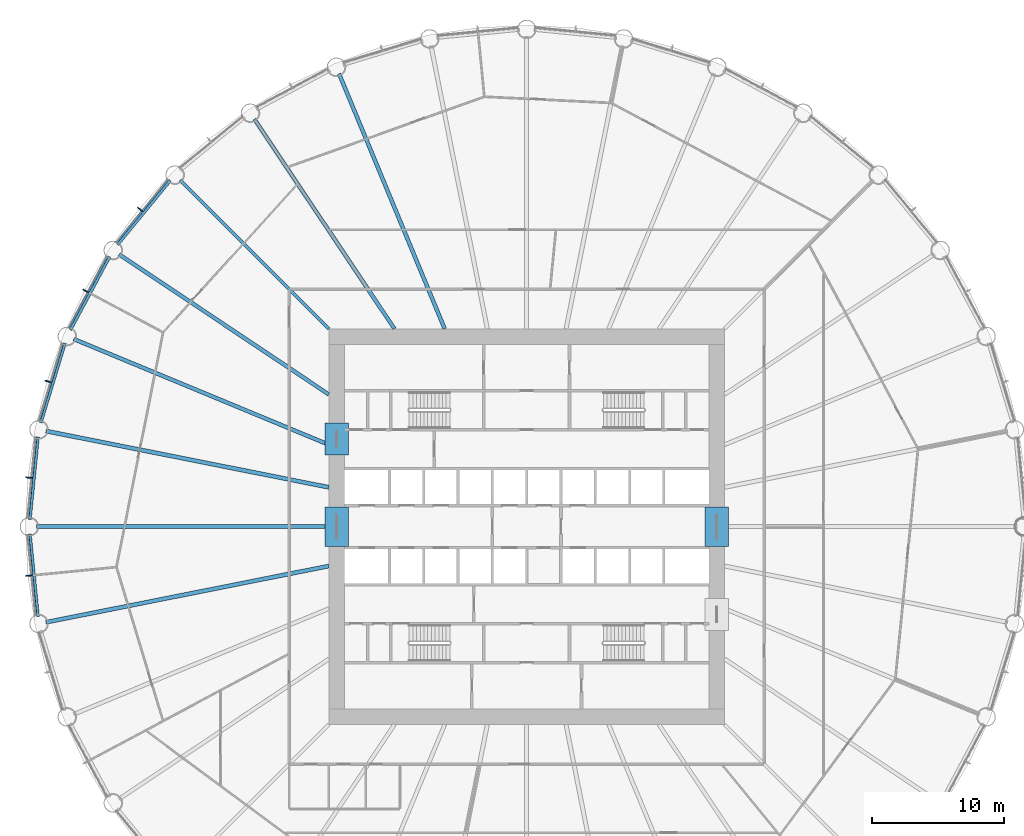
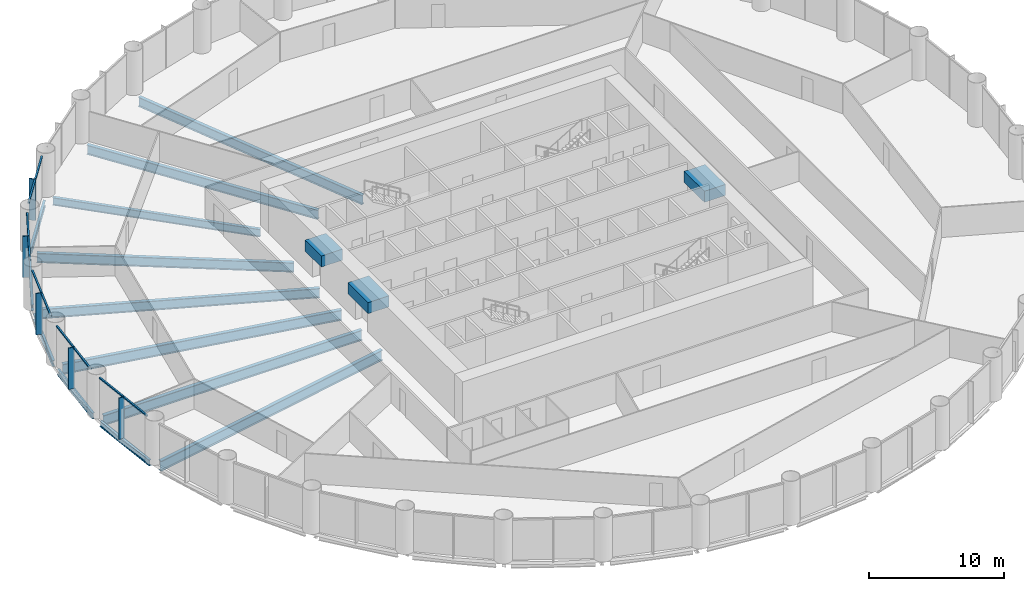
# One storey, part 4 of 15: 16 beams, 15 members, 5 elements without a shape of their own.
"""IFC4 building model written with IfcOpenShell, lengths in metres."""

from ifc_helpers import new_model, si_unit, direction, frame, origin, origin_2d, place, context, subcontext, project, spatial, rectangle, i_section, extrude, material, material_profile, profile_set, type_object, element, aggregate, save


model = new_model("IFC4")

# Units and contexts
model_context = context("Model", 3, precision=1e-05, world=origin(), true_north=direction((0.0, 1.0)))
body_context = subcontext(model_context, "Body", "Model", "MODEL_VIEW")
ifc_project = project(units=[si_unit("LENGTHUNIT", "METRE"), si_unit("AREAUNIT", "SQUARE_METRE"), si_unit("VOLUMEUNIT", "CUBIC_METRE"), si_unit("PLANEANGLEUNIT", "RADIAN"), si_unit("MASSUNIT", "GRAM", prefix="KILO")], contexts=[model_context])

# Site, building, storey
site_placement = place(None, origin())
site = spatial("IfcSite", under=ifc_project, at=site_placement, CompositionType="ELEMENT")
building_placement = place(site_placement, origin())
building = spatial("IfcBuilding", under=site, at=building_placement, Name="Corvane Civic Tower", CompositionType="ELEMENT")
storey_placement = place(building_placement, frame((0.0, 0.0, 45.0)))
storey = spatial("IfcBuildingStorey", under=building, at=storey_placement, Name="L09", CompositionType="ELEMENT", Elevation=45.0)

# Beams
ifc_material_1 = material(Name="Concrete C80/95", Category="concrete")
ifc_material_profile_1 = material_profile(ifc_material_1, rectangle(XDim=1.800048828125, YDim=1.0, at=origin_2d()), Name="COUPLING BEAM 1800X1000")
ifc_profile_set_1 = profile_set([ifc_material_profile_1], Name="Concrete C80/95")
beam_type_1 = type_object("IfcBeamType", Name="COUPLING BEAM COUPLING BEAM 1800X1000", PredefinedType="BEAM", material=ifc_profile_set_1)
for number, where, z_axis, x_axis, name in (
    (1, (-14.39990234375, -1.5, 2.60009765625), (0.0, 1.0, 0.0), (-1.0, 0.0, 0.0), "BM-L09-cpl-CW-LW"),
    (2, (14.39990234375, -1.5, 2.60009765625), (0.0, 1.0, 0.0), (-1.0, 0.0, 0.0), "BM-L09-cpl-CW-LE"),
):
    element("IfcBeam", number, at=place(storey_placement, frame(where, z_axis=z_axis, x_axis=x_axis)), inside=storey, type_object=beam_type_1, Name=name, PredefinedType="BEAM", context=body_context, shape_type="SweptSolid", body=[
        extrude(rectangle(XDim=1.800048828125, YDim=1.0, at=origin_2d()), origin(), (0.0, 0.0, 1.0), 3.0),
    ])
beam_1_placement = place(storey_placement, frame((-14.39990234375, 5.449951171875, 2.60009765625), z_axis=(0.0, 1.0, 0.0), x_axis=(-1.0, 0.0, 0.0)))
element("IfcBeam", 3, at=beam_1_placement, inside=storey, type_object=beam_type_1, Name="BM-L09-cpl-CW-WN", PredefinedType="BEAM", context=body_context, shape_type="SweptSolid", body=[
    extrude(rectangle(XDim=1.800048828125, YDim=1.0, at=origin_2d()), origin(), (0.0, 0.0, 1.0), 2.400146484375),
])
ifc_material_2 = material(Name="Steel ASTM A992 Gr 50", Category="steel")
ifc_material_profile_2 = material_profile(ifc_material_2, i_section(OverallWidth=0.209228515625, OverallDepth=0.533447265625, WebThickness=0.01025390625, FlangeThickness=0.015625, at=origin_2d()), Name="W21X62")
ifc_profile_set_2 = profile_set([ifc_material_profile_2], Name="Steel ASTM A992 Gr 50")
beam_type_2 = type_object("IfcBeamType", Name="EDGE BEAM W21X62", PredefinedType="BEAM", material=ifc_profile_set_2)
for number, where, z_axis, x_axis, name in (
    (4, (-37.029541015625, -6.8076171875, -0.566650390625), (-0.097997284622, 0.995186682089, 0.0), (-0.995186682089, -0.097997284622, 0.0), "BM-L09-E24"),
    (5, (-37.64599609375, 0.54736328125, -0.566650390625), (0.097997284622, 0.995186682089, 0.0), (-0.995186682089, 0.097997284622, 0.0), "BM-L09-E25"),
):
    element("IfcBeam", number, at=place(storey_placement, frame(where, z_axis=z_axis, x_axis=x_axis)), inside=storey, type_object=beam_type_2, Name=name, PredefinedType="BEAM", context=body_context, shape_type="SweptSolid", body=[
        extrude(i_section(OverallWidth=0.209228515625, OverallDepth=0.533447265625, WebThickness=0.01025390625, FlangeThickness=0.015625, at=origin_2d()), origin(), (0.0, 0.0, 1.0), 6.29052734375),
    ])
for number, where, z_axis, x_axis, name in (
    (6, (-36.81591796875, 7.88134765625, -0.566650390625), (0.290273452184, 0.956943740748, 0.0), (-0.956943740748, 0.290273452184, 0.0), "BM-L09-E26"),
    (7, (-34.571044921875, 14.912353515625, -0.566650390625), (0.471405897311, 0.881916367906, 0.0), (-0.881916367906, 0.471405897311, 0.0), "BM-L09-E27"),
):
    element("IfcBeam", number, at=place(storey_placement, frame(where, z_axis=z_axis, x_axis=x_axis)), inside=storey, type_object=beam_type_2, Name=name, PredefinedType="BEAM", context=body_context, shape_type="SweptSolid", body=[
        extrude(i_section(OverallWidth=0.209228515625, OverallDepth=0.533447265625, WebThickness=0.01025390625, FlangeThickness=0.015625, at=origin_2d()), origin(), (0.0, 0.0, 1.0), 6.290283203125),
    ])
beam_2_placement = place(storey_placement, frame((-30.99755859375, 21.3701171875, -0.566650390625), z_axis=(0.634386787141, 0.773015785286, 0.0), x_axis=(-0.773015785286, 0.634386787141, 0.0)))
element("IfcBeam", 8, at=beam_2_placement, inside=storey, type_object=beam_type_2, Name="BM-L09-E28", PredefinedType="BEAM", context=body_context, shape_type="SweptSolid", body=[
    extrude(i_section(OverallWidth=0.209228515625, OverallDepth=0.533447265625, WebThickness=0.01025390625, FlangeThickness=0.015625, at=origin_2d()), origin(), (0.0, 0.0, 1.0), 6.290771484375),
])
ifc_material_3 = material(Name="Steel ASTM A992 Gr 50", Category="steel")
ifc_material_profile_3 = material_profile(ifc_material_3, i_section(OverallWidth=0.256591796875, OverallDepth=0.693359375, WebThickness=0.014404296875, FlangeThickness=0.023681640625, at=origin_2d()), Name="W27X114")
ifc_profile_set_3 = profile_set([ifc_material_profile_3], Name="Steel ASTM A992 Gr 50")
beam_type_3 = type_object("IfcBeamType", Name="FLOOR GIRDER W27X114", PredefinedType="BEAM", material=ifc_profile_set_3)
beam_3_placement = place(storey_placement, frame((-15.0, 15.0, -0.646728515625), z_axis=(-0.707106781187, 0.707106781187, 0.0), x_axis=(-0.707106781187, -0.707106781187, 0.0)))
element("IfcBeam", 9, at=beam_3_placement, inside=storey, type_object=beam_type_3, Name="BM-L09-G29", PredefinedType="BEAM", context=body_context, shape_type="SweptSolid", body=[
    extrude(i_section(OverallWidth=0.256591796875, OverallDepth=0.693359375, WebThickness=0.014404296875, FlangeThickness=0.023681640625, at=origin_2d()), origin(), (0.0, 0.0, 1.0), 15.936767578125),
])
ifc_material_4 = material(Name="Steel ASTM A992 Gr 50", Category="steel")
ifc_material_profile_4 = material_profile(ifc_material_4, i_section(OverallWidth=0.2919921875, OverallDepth=0.8583984375, WebThickness=0.01708984375, FlangeThickness=0.031005859375, at=origin_2d()), Name="W33X169")
ifc_profile_set_4 = profile_set([ifc_material_profile_4], Name="Steel ASTM A992 Gr 50")
beam_type_4 = type_object("IfcBeamType", Name="FLOOR GIRDER W33X169", PredefinedType="BEAM", material=ifc_profile_set_4)
beam_4_placement = place(storey_placement, frame((-15.0, 6.213134765625, -0.729248046875), z_axis=(-0.923875834355, 0.382692360381, 0.0), x_axis=(-0.382692360381, -0.923875834355, 0.0)))
element("IfcBeam", 10, at=beam_4_placement, inside=storey, type_object=beam_type_4, Name="BM-L09-G27", PredefinedType="BEAM", context=body_context, shape_type="SweptSolid", body=[
    extrude(i_section(OverallWidth=0.2919921875, OverallDepth=0.8583984375, WebThickness=0.01708984375, FlangeThickness=0.031005859375, at=origin_2d()), origin(), (0.0, 0.0, 1.0), 20.9140625),
])
for number, where, z_axis, x_axis, name in (
    (11, (-15.0, 10.022705078125, -0.729248046875), (-0.831471985418, 0.555566681385, 0.0), (-0.555566681385, -0.831471985418, 0.0), "BM-L09-G28"),
    (12, (-10.022705078125, 15.0, -0.729248046875), (-0.555566681385, 0.831471985418, 0.0), (-0.831471985418, -0.555566681385, 0.0), "BM-L09-G30"),
):
    element("IfcBeam", number, at=place(storey_placement, frame(where, z_axis=z_axis, x_axis=x_axis)), inside=storey, type_object=beam_type_4, Name=name, PredefinedType="BEAM", context=body_context, shape_type="SweptSolid", body=[
        extrude(i_section(OverallWidth=0.2919921875, OverallDepth=0.8583984375, WebThickness=0.01708984375, FlangeThickness=0.031005859375, at=origin_2d()), origin(), (0.0, 0.0, 1.0), 19.109619140625),
    ])
beam_5_placement = place(storey_placement, frame((-6.213134765625, 15.0, -0.729248046875), z_axis=(-0.382692360381, 0.923875834355, 0.0), x_axis=(-0.923875834355, -0.382692360381, 0.0)))
element("IfcBeam", 13, at=beam_5_placement, inside=storey, type_object=beam_type_4, Name="BM-L09-G31", PredefinedType="BEAM", context=body_context, shape_type="SweptSolid", body=[
    extrude(i_section(OverallWidth=0.2919921875, OverallDepth=0.8583984375, WebThickness=0.01708984375, FlangeThickness=0.031005859375, at=origin_2d()), origin(), (0.0, 0.0, 1.0), 20.9140625),
])
ifc_material_5 = material(Name="Steel ASTM A992 Gr 50", Category="steel")
ifc_material_profile_5 = material_profile(ifc_material_5, i_section(OverallWidth=0.307373046875, OverallDepth=0.927001953125, WebThickness=0.01953125, FlangeThickness=0.031982421875, at=origin_2d()), Name="W36X194")
ifc_profile_set_5 = profile_set([ifc_material_profile_5], Name="Steel ASTM A992 Gr 50")
beam_type_5 = type_object("IfcBeamType", Name="FLOOR GIRDER W36X194", PredefinedType="BEAM", material=ifc_profile_set_5)
beam_6_placement = place(storey_placement, frame((-15.0, -2.983642578125, -0.763671875), z_axis=(-0.980785499679, -0.195089219638, 0.0), x_axis=(0.195089219638, -0.980785499679, 0.0)))
element("IfcBeam", 14, at=beam_6_placement, inside=storey, type_object=beam_type_5, Name="BM-L09-G24", PredefinedType="BEAM", context=body_context, shape_type="SweptSolid", body=[
    extrude(i_section(OverallWidth=0.307373046875, OverallDepth=0.927001953125, WebThickness=0.01953125, FlangeThickness=0.031982421875, at=origin_2d()), origin(), (0.0, 0.0, 1.0), 21.856201171875),
])
beam_7_placement = place(storey_placement, frame((-15.0, 0.0, -0.763671875), z_axis=(-1.0, 0.0, 0.0), x_axis=(0.0, -1.0, 0.0)))
element("IfcBeam", 15, at=beam_7_placement, inside=storey, type_object=beam_type_5, Name="BM-L09-G25", PredefinedType="BEAM", context=body_context, shape_type="SweptSolid", body=[
    extrude(i_section(OverallWidth=0.307373046875, OverallDepth=0.927001953125, WebThickness=0.01953125, FlangeThickness=0.031982421875, at=origin_2d()), origin(), (0.0, 0.0, 1.0), 22.14990234375),
])
beam_8_placement = place(storey_placement, frame((-15.0, 2.983642578125, -0.763671875), z_axis=(-0.980785499679, 0.195089219638, 0.0), x_axis=(-0.195089219638, -0.980785499679, 0.0)))
element("IfcBeam", 16, at=beam_8_placement, inside=storey, type_object=beam_type_5, Name="BM-L09-G26", PredefinedType="BEAM", context=body_context, shape_type="SweptSolid", body=[
    extrude(i_section(OverallWidth=0.307373046875, OverallDepth=0.927001953125, WebThickness=0.01953125, FlangeThickness=0.031982421875, at=origin_2d()), origin(), (0.0, 0.0, 1.0), 21.856201171875),
])

# Curtain wall, members
ifc_material_6 = material(Name="Anodised aluminium bronze", Category="aluminium")
curtain_wall_type = type_object("IfcCurtainWallType", Name="TOWER CW-T1 STICK CURTAIN WALL", PredefinedType="NOTDEFINED", material=ifc_material_6)
curtain_wall_1_placement = place(storey_placement, origin())
curtain_wall_1 = element("IfcCurtainWall", 17, at=curtain_wall_1_placement, inside=storey, type_object=curtain_wall_type, Name="Curtain wall CW-T1 L09 bay 24", PredefinedType="NOTDEFINED")
ifc_material_7 = material(Name="Anodised aluminium bronze", Category="aluminium")
ifc_material_profile_6 = material_profile(ifc_material_7, rectangle(XDim=0.139892578125, YDim=0.1201171875, at=origin_2d()), Name="TOWER CW-T1 TRANSOM 140x120")
ifc_profile_set_6 = profile_set([ifc_material_profile_6], Name="Anodised aluminium bronze")
member_type_1 = type_object("IfcMemberType", Name="TOWER CW-T1 TRANSOM 140x120", PredefinedType="USERDEFINED", material=ifc_profile_set_6)
member_1_placement = place(storey_placement, frame((-37.21728515625, -6.72900390625, 3.68994140625), z_axis=(-0.097944923917, 0.995191836722, 0.0), x_axis=(-0.995191836722, -0.097944923917, 0.0)))
member_1 = element("IfcMember", 18, at=member_1_placement, type_object=member_type_1, Name="Transom CW-T1 L09 24.1", ObjectType="TRANSOM", PredefinedType="USERDEFINED", context=body_context, shape_type="SweptSolid", body=[
    extrude(rectangle(XDim=0.139892578125, YDim=0.1201171875, at=origin_2d()), origin(), (0.0, 0.0, 1.0), 3.008544921875),
])
member_2_placement = place(storey_placement, frame((-37.52001953125, -3.6552734375, 3.68994140625), z_axis=(-0.097944923917, 0.995191836722, 0.0), x_axis=(-0.995191836722, -0.097944923917, 0.0)))
member_2 = element("IfcMember", 19, at=member_2_placement, type_object=member_type_1, Name="Transom CW-T1 L09 24.2", ObjectType="TRANSOM", PredefinedType="USERDEFINED", context=body_context, shape_type="SweptSolid", body=[
    extrude(rectangle(XDim=0.139892578125, YDim=0.1201171875, at=origin_2d()), origin(), (0.0, 0.0, 1.0), 3.008544921875),
])

curtain_wall_2_placement = place(storey_placement, origin())
curtain_wall_2 = element("IfcCurtainWall", 20, at=curtain_wall_2_placement, inside=storey, type_object=curtain_wall_type, Name="Curtain wall CW-T1 L09 bay 25", PredefinedType="NOTDEFINED")
member_3_placement = place(storey_placement, frame((-37.814697265625, 0.6611328125, 3.68994140625), z_axis=(0.097944923917, 0.995191836722, 0.0), x_axis=(-0.995191836722, 0.097944923917, 0.0)))
member_3 = element("IfcMember", 21, at=member_3_placement, type_object=member_type_1, Name="Transom CW-T1 L09 25.1", ObjectType="TRANSOM", PredefinedType="USERDEFINED", context=body_context, shape_type="SweptSolid", body=[
    extrude(rectangle(XDim=0.139892578125, YDim=0.1201171875, at=origin_2d()), origin(), (0.0, 0.0, 1.0), 3.008544921875),
])
member_4_placement = place(storey_placement, frame((-37.511962890625, 3.73486328125, 3.68994140625), z_axis=(0.097944923917, 0.995191836722, 0.0), x_axis=(-0.995191836722, 0.097944923917, 0.0)))
member_4 = element("IfcMember", 22, at=member_4_placement, type_object=member_type_1, Name="Transom CW-T1 L09 25.2", ObjectType="TRANSOM", PredefinedType="USERDEFINED", context=body_context, shape_type="SweptSolid", body=[
    extrude(rectangle(XDim=0.139892578125, YDim=0.1201171875, at=origin_2d()), origin(), (0.0, 0.0, 1.0), 3.008544921875),
])

curtain_wall_3_placement = place(storey_placement, origin())
curtain_wall_3 = element("IfcCurtainWall", 23, at=curtain_wall_3_placement, inside=storey, type_object=curtain_wall_type, Name="Curtain wall CW-T1 L09 bay 26", PredefinedType="NOTDEFINED")
member_5_placement = place(storey_placement, frame((-36.959228515625, 8.02587890625, 3.68994140625), z_axis=(0.290279914268, 0.956941780555, 0.0), x_axis=(-0.956941780555, 0.290279914268, 0.0)))
member_5 = element("IfcMember", 24, at=member_5_placement, type_object=member_type_1, Name="Transom CW-T1 L09 26.1", ObjectType="TRANSOM", PredefinedType="USERDEFINED", context=body_context, shape_type="SweptSolid", body=[
    extrude(rectangle(XDim=0.139892578125, YDim=0.1201171875, at=origin_2d()), origin(), (0.0, 0.0, 1.0), 3.008544921875),
])
member_6_placement = place(storey_placement, frame((-36.062744140625, 10.9814453125, 3.68994140625), z_axis=(0.290279914268, 0.956941780555, 0.0), x_axis=(-0.956941780555, 0.290279914268, 0.0)))
member_6 = element("IfcMember", 25, at=member_6_placement, type_object=member_type_1, Name="Transom CW-T1 L09 26.2", ObjectType="TRANSOM", PredefinedType="USERDEFINED", context=body_context, shape_type="SweptSolid", body=[
    extrude(rectangle(XDim=0.139892578125, YDim=0.1201171875, at=origin_2d()), origin(), (0.0, 0.0, 1.0), 3.008544921875),
])

curtain_wall_4_placement = place(storey_placement, origin())
curtain_wall_4 = element("IfcCurtainWall", 26, at=curtain_wall_4_placement, inside=storey, type_object=curtain_wall_type, Name="Curtain wall CW-T1 L09 bay 27", PredefinedType="NOTDEFINED")
member_7_placement = place(storey_placement, frame((-34.683349609375, 15.08203125, 3.68994140625), z_axis=(0.471392506424, 0.881923525532, 0.0), x_axis=(-0.881923525532, 0.471392506424, 0.0)))
member_7 = element("IfcMember", 27, at=member_7_placement, type_object=member_type_1, Name="Transom CW-T1 L09 27.1", ObjectType="TRANSOM", PredefinedType="USERDEFINED", context=body_context, shape_type="SweptSolid", body=[
    extrude(rectangle(XDim=0.139892578125, YDim=0.1201171875, at=origin_2d()), origin(), (0.0, 0.0, 1.0), 3.008544921875),
])
member_8_placement = place(storey_placement, frame((-33.2275390625, 17.805908203125, 3.68994140625), z_axis=(0.471392506424, 0.881923525532, 0.0), x_axis=(-0.881923525532, 0.471392506424, 0.0)))
member_8 = element("IfcMember", 28, at=member_8_placement, type_object=member_type_1, Name="Transom CW-T1 L09 27.2", ObjectType="TRANSOM", PredefinedType="USERDEFINED", context=body_context, shape_type="SweptSolid", body=[
    extrude(rectangle(XDim=0.139892578125, YDim=0.1201171875, at=origin_2d()), origin(), (0.0, 0.0, 1.0), 3.008544921875),
])

curtain_wall_5_placement = place(storey_placement, origin())
curtain_wall_5 = element("IfcCurtainWall", 29, at=curtain_wall_5_placement, inside=storey, type_object=curtain_wall_type, Name="Curtain wall CW-T1 L09 bay 28", PredefinedType="NOTDEFINED")
member_9_placement = place(storey_placement, frame((-31.074462890625, 21.55859375, 3.68994140625), z_axis=(0.634355161466, 0.773041738279, 0.0), x_axis=(-0.773041738279, 0.634355161466, 0.0)))
member_9 = element("IfcMember", 30, at=member_9_placement, type_object=member_type_1, Name="Transom CW-T1 L09 28.1", ObjectType="TRANSOM", PredefinedType="USERDEFINED", context=body_context, shape_type="SweptSolid", body=[
    extrude(rectangle(XDim=0.139892578125, YDim=0.1201171875, at=origin_2d()), origin(), (0.0, 0.0, 1.0), 3.008544921875),
])
member_10_placement = place(storey_placement, frame((-29.115234375, 23.946044921875, 3.68994140625), z_axis=(0.634403652865, 0.773001943873, 0.0), x_axis=(-0.773001943873, 0.634403652865, 0.0)))
member_10 = element("IfcMember", 31, at=member_10_placement, type_object=member_type_1, Name="Transom CW-T1 L09 28.2", ObjectType="TRANSOM", PredefinedType="USERDEFINED", context=body_context, shape_type="SweptSolid", body=[
    extrude(rectangle(XDim=0.139892578125, YDim=0.1201171875, at=origin_2d()), origin(), (0.0, 0.0, 1.0), 3.008544921875),
])

# Member
ifc_material_8 = material(Name="Anodised aluminium bronze", Category="aluminium")
ifc_material_profile_7 = material_profile(ifc_material_8, rectangle(XDim=0.080078125, YDim=0.5, at=origin_2d()), Name="TOWER FIN MULLION 80x500 BRONZE")
ifc_profile_set_7 = profile_set([ifc_material_profile_7], Name="Anodised aluminium bronze")
member_type_2 = type_object("IfcMemberType", Name="TOWER FIN MULLION 80x500 BRONZE", PredefinedType="MULLION", material=ifc_profile_set_7)
member_11_placement = place(storey_placement, frame((-37.715087890625, -3.714599609375, 0.0), z_axis=(0.0, 0.0, 1.0), x_axis=(-0.098006239521, 0.995185800248, 0.0)))
member_11 = element("IfcMember", 32, at=member_11_placement, type_object=member_type_2, Name="Fin mullion 24 L09", PredefinedType="MULLION", context=body_context, shape_type="SweptSolid", body=[
    extrude(rectangle(XDim=0.080078125, YDim=0.5, at=origin_2d()), origin(), (0.0, 0.0, 1.0), 3.75),
])

aggregate(curtain_wall_1, [member_11, member_1, member_2])

member_12_placement = place(storey_placement, frame((-37.715087890625, 3.714599609375, 0.0), z_axis=(0.0, 0.0, 1.0), x_axis=(0.098006239521, 0.995185800248, 0.0)))
member_12 = element("IfcMember", 33, at=member_12_placement, type_object=member_type_2, Name="Fin mullion 25 L09", PredefinedType="MULLION", context=body_context, shape_type="SweptSolid", body=[
    extrude(rectangle(XDim=0.080078125, YDim=0.5, at=origin_2d()), origin(), (0.0, 0.0, 1.0), 3.75),
])

aggregate(curtain_wall_2, [member_12, member_3, member_4])

member_13_placement = place(storey_placement, frame((-36.265625, 11.001220703125, 0.0), z_axis=(0.0, 0.0, 1.0), x_axis=(0.290278397654, 0.956942240606, 0.0)))
member_13 = element("IfcMember", 34, at=member_13_placement, type_object=member_type_2, Name="Fin mullion 26 L09", PredefinedType="MULLION", context=body_context, shape_type="SweptSolid", body=[
    extrude(rectangle(XDim=0.080078125, YDim=0.5, at=origin_2d()), origin(), (0.0, 0.0, 1.0), 3.75),
])

aggregate(curtain_wall_3, [member_13, member_5, member_6])

member_14_placement = place(storey_placement, frame((-33.422607421875, 17.86474609375, 0.0), z_axis=(0.0, 0.0, 1.0), x_axis=(0.471403725359, 0.881917528864, 0.0)))
member_14 = element("IfcMember", 35, at=member_14_placement, type_object=member_type_2, Name="Fin mullion 27 L09", PredefinedType="MULLION", context=body_context, shape_type="SweptSolid", body=[
    extrude(rectangle(XDim=0.080078125, YDim=0.5, at=origin_2d()), origin(), (0.0, 0.0, 1.0), 3.75),
])

aggregate(curtain_wall_4, [member_14, member_7, member_8])

member_15_placement = place(storey_placement, frame((-29.295166015625, 24.0419921875, 0.0), z_axis=(0.0, 0.0, 1.0), x_axis=(0.634397218569, 0.773007224463, 0.0)))
member_15 = element("IfcMember", 36, at=member_15_placement, type_object=member_type_2, Name="Fin mullion 28 L09", PredefinedType="MULLION", context=body_context, shape_type="SweptSolid", body=[
    extrude(rectangle(XDim=0.080078125, YDim=0.5, at=origin_2d()), origin(), (0.0, 0.0, 1.0), 3.75),
])

aggregate(curtain_wall_5, [member_15, member_9, member_10])

save(model, "model.ifc")
